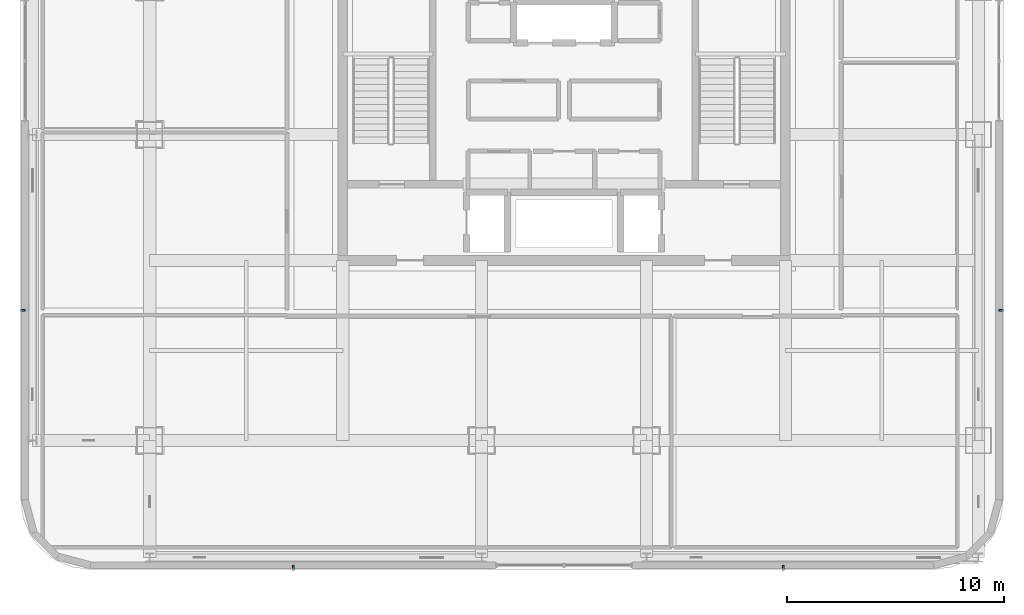
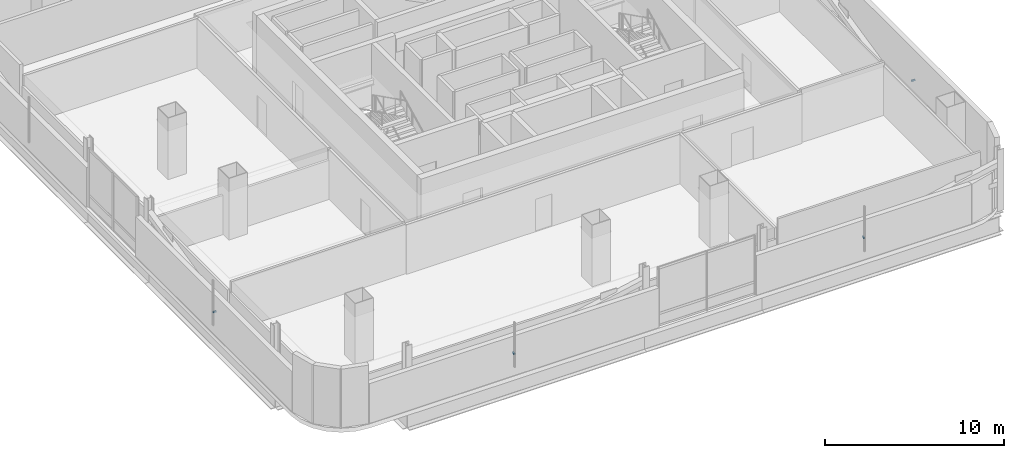
# One storey, part 16 of 28: 4 discrete accessories.
"""IFC4 building model written with IfcOpenShell, lengths in metres."""

from ifc_helpers import new_model, si_unit, direction, frame, origin, origin_2d, place, context, subcontext, project, spatial, rectangle, extrude, material, type_object, element, save


model = new_model("IFC4")

# Units and contexts
model_context = context("Model", 3, precision=1e-05, world=origin(), true_north=direction((0.0, 1.0)))
body_context = subcontext(model_context, "Body", "Model", "MODEL_VIEW")
ifc_project = project(units=[si_unit("LENGTHUNIT", "METRE"), si_unit("AREAUNIT", "SQUARE_METRE"), si_unit("VOLUMEUNIT", "CUBIC_METRE"), si_unit("PLANEANGLEUNIT", "RADIAN"), si_unit("MASSUNIT", "GRAM", prefix="KILO")], contexts=[model_context])

# Site, building, storey
site_placement = place(None, origin())
site = spatial("IfcSite", under=ifc_project, at=site_placement, CompositionType="ELEMENT")
building_placement = place(site_placement, origin())
building = spatial("IfcBuilding", under=site, at=building_placement, Name="Punatoya Terracotta Tower", CompositionType="ELEMENT")
storey_placement = place(building_placement, frame((0.0, 0.0, 317.39990234375)))
storey = spatial("IfcBuildingStorey", under=building, at=storey_placement, Name="L75", CompositionType="ELEMENT", Elevation=317.39990234375)

# Discrete accessories
ifc_material = material(Name="Steel S355", Category="steel")
discrete_accessory_type = type_object("IfcDiscreteAccessoryType", Name="ACC-BRK-220", PredefinedType="BRACKET", material=ifc_material)
for number, where, z_axis, x_axis, name in (
    (1, (-12.493408203125, -23.35009765625, 1.449951171875), (0.0, 0.0, 1.0), (1.0, 0.0, 0.0), "L75 Jali Fin Support Bracket S1"),
    (2, (10.093505859375, -23.35009765625, 1.449951171875), (0.0, 0.0, 1.0), (1.0, 0.0, 0.0), "L75 Jali Fin Support Bracket S2"),
    (3, (20.14990234375, -11.493408203125, 1.449951171875), (0.0, 0.0, 1.0), (0.0, 1.0, 0.0), "L75 Jali Fin Support Bracket E1"),
    (4, (-24.949951171875, -11.493408203125, 1.449951171875), (0.0, 0.0, 1.0), (0.0, -1.0, 0.0), "L75 Jali Fin Support Bracket W2"),
):
    element("IfcDiscreteAccessory", number, at=place(storey_placement, frame(where, z_axis=z_axis, x_axis=x_axis)), inside=storey, type_object=discrete_accessory_type, Name=name, PredefinedType="BRACKET", context=body_context, shape_type="SweptSolid", body=[
        extrude(rectangle(XDim=0.090087890625, YDim=0.219970703125, at=origin_2d()), origin(), (0.0, 0.0, 1.0), 0.10009765625),
    ])

save(model, "model.ifc")
